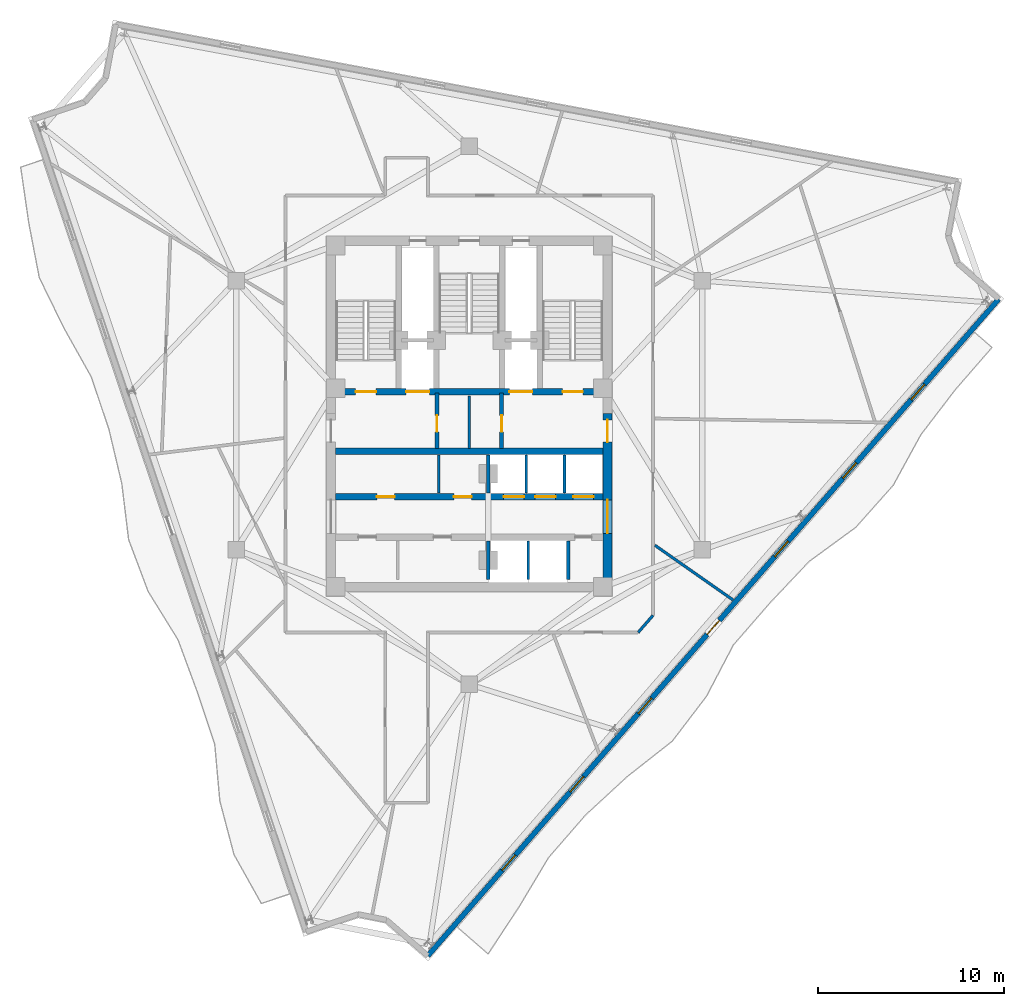
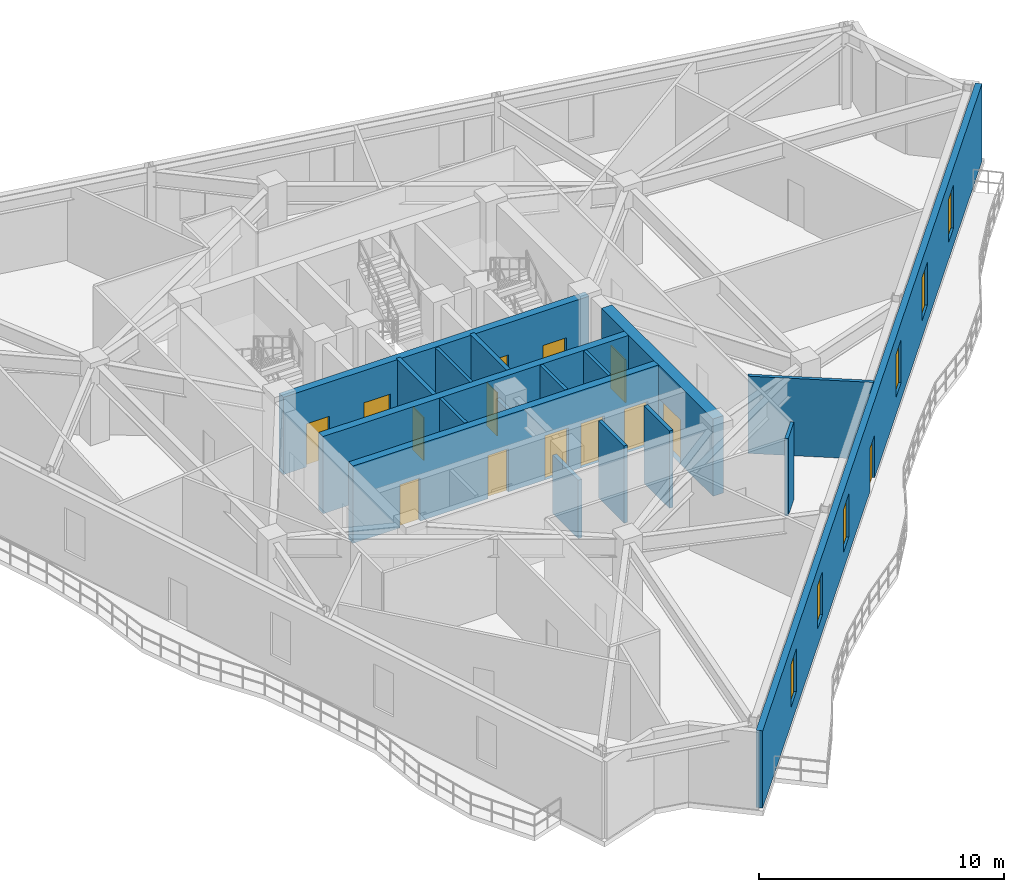
# One storey, part 5 of 10: 17 walls, 14 doors, 6 windows, 20 openings.
"""IFC4 building model written with IfcOpenShell, lengths in metres."""

from ifc_helpers import new_model, si_unit, direction, frame, frame_2d, origin, place, context, subcontext, project, spatial, rectangle, extrude, material, layer, layer_set, type_object, element, fill, save


model = new_model("IFC4")

# Units and contexts
model_context = context("Model", 3, precision=1e-05, world=origin(), true_north=direction((0.0, 1.0)))
body_context = subcontext(model_context, "Body", "Model", "MODEL_VIEW")
ifc_project = project(units=[si_unit("LENGTHUNIT", "METRE"), si_unit("AREAUNIT", "SQUARE_METRE"), si_unit("VOLUMEUNIT", "CUBIC_METRE"), si_unit("PLANEANGLEUNIT", "RADIAN"), si_unit("MASSUNIT", "GRAM", prefix="KILO")], contexts=[model_context])

# Site, building, storey
site_placement = place(None, origin())
site = spatial("IfcSite", under=ifc_project, at=site_placement, CompositionType="ELEMENT")
building_placement = place(site_placement, origin())
building = spatial("IfcBuilding", under=site, at=building_placement, Name="Apsidion Concourse Tower", CompositionType="ELEMENT")
storey_placement = place(building_placement, frame((0.0, 0.0, 269.60009765625)))
storey = spatial("IfcBuildingStorey", under=building, at=storey_placement, Name="L63", CompositionType="ELEMENT", Elevation=269.60009765625)

# Wall, openings, door, windows
ifc_material_1 = material(Name="Precast concrete C40/50", Category="concrete")
ifc_layer_1 = layer(ifc_material_1, 0.280029296875)
ifc_layer_set_1 = layer_set([ifc_layer_1], Name="Precast concrete C40/50")
wall_type_1 = type_object("IfcWallType", Name="WL-EXT-280", PredefinedType="STANDARD", material=ifc_layer_set_1)
wall_1_placement = place(storey_placement, frame((28.531494140625, 6.267578125, 0.0), z_axis=(0.0, 0.0, 1.0), x_axis=(-0.656055748756, -0.754712431674, 0.0)))
wall_1 = element("IfcWall", 1, at=wall_1_placement, inside=storey, type_object=wall_type_1, Name="L63 Precast Stone Facade Wall 05", PredefinedType="STANDARD", context=body_context, shape_type="SweptSolid", body=[
    extrude(rectangle(XDim=46.89697265625, YDim=0.280029296875, at=frame_2d((23.448486328125, 0.0))), origin(), (0.0, 0.0, 1.0), 3.849853515625),
])
opening_1_placement = place(wall_1_placement, frame((22.948486328125, 0.0, 0.0)))
opening_1 = element("IfcOpeningElement", 2, at=opening_1_placement, cuts=wall_1, Name="Opening D-T1L", PredefinedType="OPENING", context=body_context, shape_type="SweptSolid", body=[
    extrude(rectangle(XDim=1.0, YDim=2.14990234375, at=frame_2d((0.5, 1.074951171875))), frame((0.0, 0.14990234375, 0.0), z_axis=(0.0, -1.0, 0.0), x_axis=(1.0, 0.0, 0.0)), (0.0, 0.0, 1.0), 0.300048828125),
])
opening_2_placement = place(wall_1_placement, frame((6.0986328125, 0.0, 0.85009765625)))
opening_2 = element("IfcOpeningElement", 3, at=opening_2_placement, cuts=wall_1, Name="Opening WN-07", PredefinedType="OPENING", context=body_context, shape_type="SweptSolid", body=[
    extrude(rectangle(XDim=1.10009765625, YDim=2.14990234375, at=frame_2d((0.550048828125, 1.074951171875))), frame((0.0, 0.14990234375, 0.0), z_axis=(0.0, -1.0, 0.0), x_axis=(1.0, 0.0, 0.0)), (0.0, 0.0, 1.0), 0.300048828125),
])
opening_3_placement = place(wall_1_placement, frame((11.698486328125, 0.0, 0.85009765625)))
opening_3 = element("IfcOpeningElement", 4, at=opening_3_placement, cuts=wall_1, Name="Opening WN-07", PredefinedType="OPENING", context=body_context, shape_type="SweptSolid", body=[
    extrude(rectangle(XDim=1.10009765625, YDim=2.14990234375, at=frame_2d((0.550048828125, 1.074951171875))), frame((0.0, 0.14990234375, 0.0), z_axis=(0.0, -1.0, 0.0), x_axis=(1.0, 0.0, 0.0)), (0.0, 0.0, 1.0), 0.300048828125),
])
opening_4_placement = place(wall_1_placement, frame((17.298583984375, 0.0, 0.85009765625)))
opening_4 = element("IfcOpeningElement", 5, at=opening_4_placement, cuts=wall_1, Name="Opening WN-07", PredefinedType="OPENING", context=body_context, shape_type="SweptSolid", body=[
    extrude(rectangle(XDim=1.10009765625, YDim=2.14990234375, at=frame_2d((0.550048828125, 1.074951171875))), frame((0.0, 0.14990234375, 0.0), z_axis=(0.0, -1.0, 0.0), x_axis=(1.0, 0.0, 0.0)), (0.0, 0.0, 1.0), 0.300048828125),
])
opening_5_placement = place(wall_1_placement, frame((28.49853515625, 0.0, 0.85009765625)))
opening_5 = element("IfcOpeningElement", 6, at=opening_5_placement, cuts=wall_1, Name="Opening WN-07", PredefinedType="OPENING", context=body_context, shape_type="SweptSolid", body=[
    extrude(rectangle(XDim=1.10009765625, YDim=2.14990234375, at=frame_2d((0.550048828125, 1.074951171875))), frame((0.0, 0.14990234375, 0.0), z_axis=(0.0, -1.0, 0.0), x_axis=(1.0, 0.0, 0.0)), (0.0, 0.0, 1.0), 0.300048828125),
])
opening_6_placement = place(wall_1_placement, frame((34.0986328125, 0.0, 0.85009765625)))
opening_6 = element("IfcOpeningElement", 7, at=opening_6_placement, cuts=wall_1, Name="Opening WN-07", PredefinedType="OPENING", context=body_context, shape_type="SweptSolid", body=[
    extrude(rectangle(XDim=1.10009765625, YDim=2.14990234375, at=frame_2d((0.550048828125, 1.074951171875))), frame((0.0, 0.14990234375, 0.0), z_axis=(0.0, -1.0, 0.0), x_axis=(1.0, 0.0, 0.0)), (0.0, 0.0, 1.0), 0.300048828125),
])
opening_7_placement = place(wall_1_placement, frame((39.698486328125, 0.0, 0.85009765625)))
opening_7 = element("IfcOpeningElement", 8, at=opening_7_placement, cuts=wall_1, Name="Opening WN-07", PredefinedType="OPENING", context=body_context, shape_type="SweptSolid", body=[
    extrude(rectangle(XDim=1.10009765625, YDim=2.14990234375, at=frame_2d((0.550048828125, 1.074951171875))), frame((0.0, 0.14990234375, 0.0), z_axis=(0.0, -1.0, 0.0), x_axis=(1.0, 0.0, 0.0)), (0.0, 0.0, 1.0), 0.300048828125),
])
ifc_material_2 = material(Name="Anodised aluminium EN AW-6063 T6", Category="aluminium")
door_type_1 = type_object("IfcDoorType", Name="DR-TER-1022L", OperationType="SINGLE_SWING_LEFT", PredefinedType="DOOR", material=ifc_material_2)
door_1_placement = place(opening_1_placement, origin())
door_1 = element("IfcDoor", 9, at=door_1_placement, inside=storey, type_object=door_type_1, Name="L63 Balcony Access Door 2", OperationType="SINGLE_SWING_LEFT", OverallHeight=2.14990234375, OverallWidth=1.0, PredefinedType="DOOR", context=body_context, shape_type="SweptSolid", body=[
    extrude(rectangle(XDim=1.0, YDim=2.14990234375, at=frame_2d((0.5, 1.074951171875))), frame((0.0, 0.02490234375, 0.0), z_axis=(0.0, -1.0, 0.0), x_axis=(1.0, 0.0, 0.0)), (0.0, 0.0, 1.0), 0.050048828125),
])
fill(opening_1, door_1)
ifc_material_3 = material(Name="Insulated laminated low-E glass", Category="glass")
window_type = type_object("IfcWindowType", Name="WN-OFF-1123", PartitioningType="SINGLE_PANEL", PredefinedType="WINDOW", material=ifc_material_3)
window_1_placement = place(opening_2_placement, origin())
window_1 = element("IfcWindow", 10, at=window_1_placement, inside=storey, type_object=window_type, Name="L63 Punched Facade Window 5-01", OverallHeight=2.14990234375, OverallWidth=1.10009765625, PartitioningType="SINGLE_PANEL", PredefinedType="WINDOW", context=body_context, shape_type="SweptSolid", body=[
    extrude(rectangle(XDim=1.10009765625, YDim=2.14990234375, at=frame_2d((0.550048828125, 1.074951171875))), frame((0.0, 0.030029296875, 0.0), z_axis=(0.0, -1.0, 0.0), x_axis=(1.0, 0.0, 0.0)), (0.0, 0.0, 1.0), 0.06005859375),
])
fill(opening_2, window_1)
window_2_placement = place(opening_3_placement, origin())
window_2 = element("IfcWindow", 11, at=window_2_placement, inside=storey, type_object=window_type, Name="L63 Punched Facade Window 5-02", OverallHeight=2.14990234375, OverallWidth=1.10009765625, PartitioningType="SINGLE_PANEL", PredefinedType="WINDOW", context=body_context, shape_type="SweptSolid", body=[
    extrude(rectangle(XDim=1.10009765625, YDim=2.14990234375, at=frame_2d((0.550048828125, 1.074951171875))), frame((0.0, 0.030029296875, 0.0), z_axis=(0.0, -1.0, 0.0), x_axis=(1.0, 0.0, 0.0)), (0.0, 0.0, 1.0), 0.06005859375),
])
fill(opening_3, window_2)
window_3_placement = place(opening_4_placement, origin())
window_3 = element("IfcWindow", 12, at=window_3_placement, inside=storey, type_object=window_type, Name="L63 Punched Facade Window 5-03", OverallHeight=2.14990234375, OverallWidth=1.10009765625, PartitioningType="SINGLE_PANEL", PredefinedType="WINDOW", context=body_context, shape_type="SweptSolid", body=[
    extrude(rectangle(XDim=1.10009765625, YDim=2.14990234375, at=frame_2d((0.550048828125, 1.074951171875))), frame((0.0, 0.030029296875, 0.0), z_axis=(0.0, -1.0, 0.0), x_axis=(1.0, 0.0, 0.0)), (0.0, 0.0, 1.0), 0.06005859375),
])
fill(opening_4, window_3)
window_4_placement = place(opening_5_placement, origin())
window_4 = element("IfcWindow", 13, at=window_4_placement, inside=storey, type_object=window_type, Name="L63 Punched Facade Window 5-05", OverallHeight=2.14990234375, OverallWidth=1.10009765625, PartitioningType="SINGLE_PANEL", PredefinedType="WINDOW", context=body_context, shape_type="SweptSolid", body=[
    extrude(rectangle(XDim=1.10009765625, YDim=2.14990234375, at=frame_2d((0.550048828125, 1.074951171875))), frame((0.0, 0.030029296875, 0.0), z_axis=(0.0, -1.0, 0.0), x_axis=(1.0, 0.0, 0.0)), (0.0, 0.0, 1.0), 0.06005859375),
])
fill(opening_5, window_4)
window_5_placement = place(opening_6_placement, origin())
window_5 = element("IfcWindow", 14, at=window_5_placement, inside=storey, type_object=window_type, Name="L63 Punched Facade Window 5-06", OverallHeight=2.14990234375, OverallWidth=1.10009765625, PartitioningType="SINGLE_PANEL", PredefinedType="WINDOW", context=body_context, shape_type="SweptSolid", body=[
    extrude(rectangle(XDim=1.10009765625, YDim=2.14990234375, at=frame_2d((0.550048828125, 1.074951171875))), frame((0.0, 0.030029296875, 0.0), z_axis=(0.0, -1.0, 0.0), x_axis=(1.0, 0.0, 0.0)), (0.0, 0.0, 1.0), 0.06005859375),
])
fill(opening_6, window_5)
window_6_placement = place(opening_7_placement, origin())
window_6 = element("IfcWindow", 15, at=window_6_placement, inside=storey, type_object=window_type, Name="L63 Punched Facade Window 5-07", OverallHeight=2.14990234375, OverallWidth=1.10009765625, PartitioningType="SINGLE_PANEL", PredefinedType="WINDOW", context=body_context, shape_type="SweptSolid", body=[
    extrude(rectangle(XDim=1.10009765625, YDim=2.14990234375, at=frame_2d((0.550048828125, 1.074951171875))), frame((0.0, 0.030029296875, 0.0), z_axis=(0.0, -1.0, 0.0), x_axis=(1.0, 0.0, 0.0)), (0.0, 0.0, 1.0), 0.06005859375),
])
fill(opening_7, window_6)

# Walls
ifc_material_4 = material(Name="Gypsum plasterboard partition")
ifc_layer_2 = layer(ifc_material_4, 0.14990234375)
ifc_layer_set_2 = layer_set([ifc_layer_2], Name="Gypsum plasterboard partition")
wall_type_2 = type_object("IfcWallType", Name="WL-INT-PAR-150", PredefinedType="PARTITIONING", material=ifc_layer_set_2)
for number, where, z_axis, x_axis, name in (
    (16, (-1.64990234375, -4.179931640625, 0.0), (0.0, 0.0, 1.0), (0.0, 1.0, 0.0), "L63 Interior Partition WL-L63-B1RV1"),
    (17, (3.074951171875, -4.179931640625, 0.0), (0.0, 0.0, 1.0), (0.0, 1.0, 0.0), "L63 Interior Partition WL-L63-B3DIV-1"),
    (18, (5.125, -4.179931640625, 0.0), (0.0, 0.0, 1.0), (0.0, 1.0, 0.0), "L63 Interior Partition WL-L63-B3DIV-2"),
):
    element("IfcWall", number, at=place(storey_placement, frame(where, z_axis=z_axis, x_axis=x_axis)), inside=storey, type_object=wall_type_2, Name=name, PredefinedType="PARTITIONING", context=body_context, shape_type="SweptSolid", body=[
        extrude(rectangle(XDim=2.030029296875, YDim=0.14990234375, at=frame_2d((1.01513671875, 0.0))), origin(), (0.0, 0.0, 1.0), 3.849853515625),
    ])
wall_2_placement = place(storey_placement, frame((3.175048828125, -8.85009765625, 0.0), z_axis=(0.0, 0.0, 1.0), x_axis=(0.0, 1.0, 0.0)))
element("IfcWall", 19, at=wall_2_placement, inside=storey, type_object=wall_type_2, Name="L63 Interior Partition WL-L63-SHDIV-1", PredefinedType="PARTITIONING", context=body_context, shape_type="SweptSolid", body=[
    extrude(rectangle(XDim=2.080078125, YDim=0.14990234375, at=frame_2d((1.0400390625, 0.0))), origin(), (0.0, 0.0, 1.0), 3.849853515625),
])
wall_3_placement = place(storey_placement, frame((0.0, -1.780029296875, 0.0), z_axis=(0.0, 0.0, 1.0), x_axis=(0.0, 1.0, 0.0)))
element("IfcWall", 20, at=wall_3_placement, inside=storey, type_object=wall_type_2, Name="L63 Interior Partition WL-L63-K3V", PredefinedType="PARTITIONING", context=body_context, shape_type="SweptSolid", body=[
    extrude(rectangle(XDim=2.830078125, YDim=0.14990234375, at=frame_2d((1.4150390625, 0.0))), origin(), (0.0, 0.0, 1.0), 3.849853515625),
])
wall_4_placement = place(storey_placement, frame((9.89990234375, -10.783447265625, 0.0), z_axis=(0.0, 0.0, 1.0), x_axis=(-0.656024397367, -0.754739683639, 0.0)))
element("IfcWall", 21, at=wall_4_placement, inside=storey, type_object=wall_type_2, Name="L63 Interior Partition WL-L63-CORR-09", PredefinedType="PARTITIONING", context=body_context, shape_type="SweptSolid", body=[
    extrude(rectangle(XDim=1.21435546875, YDim=0.14990234375, at=frame_2d((0.607177734375, 0.0))), origin(), (0.0, 0.0, 1.0), 3.849853515625),
])
wall_5_placement = place(storey_placement, frame((10.0048828125, -7.005615234375, 0.0), z_axis=(0.0, 0.0, 1.0), x_axis=(0.819173984323, -0.57354510146, 0.0)))
element("IfcWall", 22, at=wall_5_placement, inside=storey, type_object=wall_type_2, Name="L63 Interior Partition WL-L63-RAD-09-1", PredefinedType="PARTITIONING", context=body_context, shape_type="SweptSolid", body=[
    extrude(rectangle(XDim=5.147705078125, YDim=0.14990234375, at=frame_2d((2.57373046875, 0.0))), origin(), (0.0, 0.0, 1.0), 3.849853515625),
])
ifc_layer_3 = layer(ifc_material_4, 0.179931640625)
ifc_layer_set_3 = layer_set([ifc_layer_3], Name="Gypsum plasterboard partition")
wall_type_3 = type_object("IfcWallType", Name="WL-INT-PAR-180", PredefinedType="PARTITIONING", material=ifc_layer_set_3)
wall_6_placement = place(storey_placement, frame((1.02490234375, -4.179931640625, 0.0), z_axis=(0.0, 0.0, 1.0), x_axis=(0.0, 1.0, 0.0)))
element("IfcWall", 23, at=wall_6_placement, inside=storey, type_object=wall_type_3, Name="L63 Interior Partition WL-L63-B1END", PredefinedType="PARTITIONING", context=body_context, shape_type="SweptSolid", body=[
    extrude(rectangle(XDim=2.030029296875, YDim=0.179931640625, at=frame_2d((1.01513671875, 0.0))), origin(), (0.0, 0.0, 1.0), 2.89794921875),
])
wall_7_placement = place(storey_placement, frame((1.02490234375, -8.85009765625, 0.0), z_axis=(0.0, 0.0, 1.0), x_axis=(0.0, 1.0, 0.0)))
element("IfcWall", 24, at=wall_7_placement, inside=storey, type_object=wall_type_3, Name="L63 Interior Partition WL-L63-B2END", PredefinedType="PARTITIONING", context=body_context, shape_type="SweptSolid", body=[
    extrude(rectangle(XDim=2.080078125, YDim=0.179931640625, at=frame_2d((1.0400390625, 0.0))), origin(), (0.0, 0.0, 1.0), 2.89794921875),
])
wall_8_placement = place(storey_placement, frame((5.324951171875, -8.85009765625, 0.0), z_axis=(0.0, 0.0, 1.0), x_axis=(0.0, 1.0, 0.0)))
element("IfcWall", 25, at=wall_8_placement, inside=storey, type_object=wall_type_3, Name="L63 Interior Partition WL-L63-SHDIV-2", PredefinedType="PARTITIONING", context=body_context, shape_type="SweptSolid", body=[
    extrude(rectangle(XDim=2.080078125, YDim=0.179931640625, at=frame_2d((1.0400390625, 0.0))), origin(), (0.0, 0.0, 1.0), 3.849853515625),
])

# Wall, opening, door
ifc_layer_4 = layer(ifc_material_4, 0.199951171875)
ifc_layer_set_4 = layer_set([ifc_layer_4], Name="Gypsum plasterboard partition")
wall_type_4 = type_object("IfcWallType", Name="WL-INT-PAR-200", PredefinedType="PARTITIONING", material=ifc_layer_set_4)
wall_9_placement = place(storey_placement, frame((-1.739990234375, -1.780029296875, 0.0), z_axis=(0.0, 0.0, 1.0), x_axis=(0.0, 1.0, 0.0)))
wall_9 = element("IfcWall", 26, at=wall_9_placement, inside=storey, type_object=wall_type_4, Name="L63 Interior Partition WL-L63-FF1-E", PredefinedType="PARTITIONING", context=body_context, shape_type="SweptSolid", body=[
    extrude(rectangle(XDim=2.97998046875, YDim=0.199951171875, at=frame_2d((1.489990234375, 0.0))), origin(), (0.0, 0.0, 1.0), 3.849853515625),
])
opening_8_placement = place(wall_9_placement, frame((0.889892578125, 0.0, 0.0)))
opening_8 = element("IfcOpeningElement", 27, at=opening_8_placement, cuts=wall_9, Name="Opening D-05R", PredefinedType="OPENING", context=body_context, shape_type="SweptSolid", body=[
    extrude(rectangle(XDim=0.8798828125, YDim=2.14990234375, at=frame_2d((0.43994140625, 1.074951171875))), frame((0.0, 0.10986328125, 0.0), z_axis=(0.0, -1.0, 0.0), x_axis=(1.0, 0.0, 0.0)), (0.0, 0.0, 1.0), 0.219970703125),
])
ifc_material_5 = material(Name="Brushed stainless steel 316", Category="steel")
door_type_2 = type_object("IfcDoorType", Name="DR-INT-D05R", OperationType="SINGLE_SWING_RIGHT", PredefinedType="DOOR", material=ifc_material_5)
door_2_placement = place(opening_8_placement, origin())
door_2 = element("IfcDoor", 28, at=door_2_placement, inside=storey, type_object=door_type_2, Name="L63 Core Pantry Door", OperationType="SINGLE_SWING_RIGHT", OverallHeight=2.14990234375, OverallWidth=0.8798828125, PredefinedType="DOOR", context=body_context, shape_type="SweptSolid", body=[
    extrude(rectangle(XDim=0.8798828125, YDim=2.14990234375, at=frame_2d((0.43994140625, 1.074951171875))), frame((0.0, 0.02490234375, 0.0), z_axis=(0.0, -1.0, 0.0), x_axis=(1.0, 0.0, 0.0)), (0.0, 0.0, 1.0), 0.050048828125),
])
fill(opening_8, door_2)

wall_10_placement = place(storey_placement, frame((1.739990234375, -1.780029296875, 0.0), z_axis=(0.0, 0.0, 1.0), x_axis=(0.0, 1.0, 0.0)))
wall_10 = element("IfcWall", 29, at=wall_10_placement, inside=storey, type_object=wall_type_4, Name="L63 Interior Partition WL-L63-FF2-W", PredefinedType="PARTITIONING", context=body_context, shape_type="SweptSolid", body=[
    extrude(rectangle(XDim=2.97998046875, YDim=0.199951171875, at=frame_2d((1.489990234375, 0.0))), origin(), (0.0, 0.0, 1.0), 3.849853515625),
])
opening_9_placement = place(wall_10_placement, frame((0.889892578125, 0.0, 0.0)))
opening_9 = element("IfcOpeningElement", 30, at=opening_9_placement, cuts=wall_10, Name="Opening D-05L", PredefinedType="OPENING", context=body_context, shape_type="SweptSolid", body=[
    extrude(rectangle(XDim=0.8798828125, YDim=2.14990234375, at=frame_2d((0.43994140625, 1.074951171875))), frame((0.0, 0.10986328125, 0.0), z_axis=(0.0, -1.0, 0.0), x_axis=(1.0, 0.0, 0.0)), (0.0, 0.0, 1.0), 0.219970703125),
])
door_type_3 = type_object("IfcDoorType", Name="DR-INT-D05L", OperationType="SINGLE_SWING_LEFT", PredefinedType="DOOR", material=ifc_material_5)
door_3_placement = place(opening_9_placement, origin())
door_3 = element("IfcDoor", 31, at=door_3_placement, inside=storey, type_object=door_type_3, Name="L63 Core Electrical Door", OperationType="SINGLE_SWING_LEFT", OverallHeight=2.14990234375, OverallWidth=0.8798828125, PredefinedType="DOOR", context=body_context, shape_type="SweptSolid", body=[
    extrude(rectangle(XDim=0.8798828125, YDim=2.14990234375, at=frame_2d((0.43994140625, 1.074951171875))), frame((0.0, 0.02490234375, 0.0), z_axis=(0.0, -1.0, 0.0), x_axis=(1.0, 0.0, 0.0)), (0.0, 0.0, 1.0), 0.050048828125),
])
fill(opening_9, door_3)

# Wall, openings, doors
ifc_material_6 = material(Name="Concrete C50/60", Category="concrete")
ifc_layer_5 = layer(ifc_material_6, 0.35009765625)
ifc_layer_set_5 = layer_set([ifc_layer_5], Name="Concrete C50/60")
wall_type_5 = type_object("IfcWallType", Name="WL-SH-350", PredefinedType="SHEAR", material=ifc_layer_set_5)
wall_11_placement = place(storey_placement, frame((-7.199951171875, 1.27490234375, 0.0), z_axis=(0.0, 0.0, 1.0), x_axis=(1.0, 0.0, 0.0)))
wall_11 = element("IfcWall", 32, at=wall_11_placement, inside=storey, type_object=wall_type_5, Name="L63 Central Core Shear Wall M1", PredefinedType="SHEAR", context=body_context, shape_type="SweptSolid", body=[
    extrude(rectangle(XDim=14.39990234375, YDim=0.35009765625, at=frame_2d((7.199951171875, 0.0))), origin(), (0.0, 0.0, 1.0), 3.849853515625),
])
opening_10_placement = place(wall_11_placement, frame((3.794921875, 0.0, 0.0)))
opening_10 = element("IfcOpeningElement", 33, at=opening_10_placement, cuts=wall_11, Name="Opening LD-FF", PredefinedType="OPENING", context=body_context, shape_type="SweptSolid", body=[
    extrude(rectangle(XDim=1.25, YDim=2.25, at=frame_2d((0.625, 1.125))), frame((0.0, 0.18505859375, 0.0), z_axis=(0.0, -1.0, 0.0), x_axis=(1.0, 0.0, 0.0)), (0.0, 0.0, 1.0), 0.3701171875),
])
opening_11_placement = place(wall_11_placement, frame((9.35498046875, 0.0, 0.0)))
opening_11 = element("IfcOpeningElement", 34, at=opening_11_placement, cuts=wall_11, Name="Opening LD-FF", PredefinedType="OPENING", context=body_context, shape_type="SweptSolid", body=[
    extrude(rectangle(XDim=1.25, YDim=2.25, at=frame_2d((0.625, 1.125))), frame((0.0, 0.18505859375, 0.0), z_axis=(0.0, -1.0, 0.0), x_axis=(1.0, 0.0, 0.0)), (0.0, 0.0, 1.0), 0.3701171875),
])
opening_12_placement = place(wall_11_placement, frame((1.074951171875, 0.0, 0.0)))
opening_12 = element("IfcOpeningElement", 35, at=opening_12_placement, cuts=wall_11, Name="Opening D-STL", PredefinedType="OPENING", context=body_context, shape_type="SweptSolid", body=[
    extrude(rectangle(XDim=1.10009765625, YDim=2.14990234375, at=frame_2d((0.550048828125, 1.074951171875))), frame((0.0, 0.18505859375, 0.0), z_axis=(0.0, -1.0, 0.0), x_axis=(1.0, 0.0, 0.0)), (0.0, 0.0, 1.0), 0.3701171875),
])
opening_13_placement = place(wall_11_placement, frame((12.22509765625, 0.0, 0.0)))
opening_13 = element("IfcOpeningElement", 36, at=opening_13_placement, cuts=wall_11, Name="Opening D-STR", PredefinedType="OPENING", context=body_context, shape_type="SweptSolid", body=[
    extrude(rectangle(XDim=1.10009765625, YDim=2.14990234375, at=frame_2d((0.550048828125, 1.074951171875))), frame((0.0, 0.18505859375, 0.0), z_axis=(0.0, -1.0, 0.0), x_axis=(1.0, 0.0, 0.0)), (0.0, 0.0, 1.0), 0.3701171875),
])
door_type_4 = type_object("IfcDoorType", Name="DR-INT-ST1L", OperationType="SINGLE_SWING_LEFT", PredefinedType="DOOR", material=ifc_material_5)
door_4_placement = place(opening_12_placement, origin())
door_4 = element("IfcDoor", 37, at=door_4_placement, inside=storey, type_object=door_type_4, Name="L63 Core Exit Stair ST1 Door", OperationType="SINGLE_SWING_LEFT", OverallHeight=2.14990234375, OverallWidth=1.10009765625, PredefinedType="DOOR", context=body_context, shape_type="SweptSolid", body=[
    extrude(rectangle(XDim=1.10009765625, YDim=2.14990234375, at=frame_2d((0.550048828125, 1.074951171875))), frame((0.0, 0.02490234375, 0.0), z_axis=(0.0, -1.0, 0.0), x_axis=(1.0, 0.0, 0.0)), (0.0, 0.0, 1.0), 0.050048828125),
])
fill(opening_12, door_4)
door_type_5 = type_object("IfcDoorType", Name="DR-INT-ST1R", OperationType="SINGLE_SWING_RIGHT", PredefinedType="DOOR", material=ifc_material_5)
door_5_placement = place(opening_13_placement, origin())
door_5 = element("IfcDoor", 38, at=door_5_placement, inside=storey, type_object=door_type_5, Name="L63 Core Exit Stair ST2 Door", OperationType="SINGLE_SWING_RIGHT", OverallHeight=2.14990234375, OverallWidth=1.10009765625, PredefinedType="DOOR", context=body_context, shape_type="SweptSolid", body=[
    extrude(rectangle(XDim=1.10009765625, YDim=2.14990234375, at=frame_2d((0.550048828125, 1.074951171875))), frame((0.0, 0.02490234375, 0.0), z_axis=(0.0, -1.0, 0.0), x_axis=(1.0, 0.0, 0.0)), (0.0, 0.0, 1.0), 0.050048828125),
])
fill(opening_13, door_5)
door_type_6 = type_object("IfcDoorType", Name="DR-LD-FSAE", OperationType="DOUBLE_DOOR_SLIDING", PredefinedType="DOOR", material=ifc_material_5)
door_6_placement = place(opening_10_placement, origin())
door_6 = element("IfcDoor", 39, at=door_6_placement, inside=storey, type_object=door_type_6, Name="L63 Lift Landing Door FF1", OperationType="DOUBLE_DOOR_SLIDING", OverallHeight=2.25, OverallWidth=1.25, PredefinedType="DOOR", context=body_context, shape_type="SweptSolid", body=[
    extrude(rectangle(XDim=1.25, YDim=2.25, at=frame_2d((0.625, 1.125))), frame((0.0, 0.02490234375, 0.0), z_axis=(0.0, -1.0, 0.0), x_axis=(1.0, 0.0, 0.0)), (0.0, 0.0, 1.0), 0.050048828125),
])
fill(opening_10, door_6)
door_7_placement = place(opening_11_placement, origin())
door_7 = element("IfcDoor", 40, at=door_7_placement, inside=storey, type_object=door_type_6, Name="L63 Lift Landing Door FF2", OperationType="DOUBLE_DOOR_SLIDING", OverallHeight=2.25, OverallWidth=1.25, PredefinedType="DOOR", context=body_context, shape_type="SweptSolid", body=[
    extrude(rectangle(XDim=1.25, YDim=2.25, at=frame_2d((0.625, 1.125))), frame((0.0, 0.02490234375, 0.0), z_axis=(0.0, -1.0, 0.0), x_axis=(1.0, 0.0, 0.0)), (0.0, 0.0, 1.0), 0.050048828125),
])
fill(opening_11, door_7)

# Wall
wall_12_placement = place(storey_placement, frame((-7.199951171875, -1.949951171875, 0.0), z_axis=(0.0, 0.0, 1.0), x_axis=(1.0, 0.0, 0.0)))
element("IfcWall", 41, at=wall_12_placement, inside=storey, type_object=wall_type_5, Name="L63 Central Core Shear Wall M2", PredefinedType="SHEAR", context=body_context, shape_type="SweptSolid", body=[
    extrude(rectangle(XDim=14.39990234375, YDim=0.35009765625, at=frame_2d((7.199951171875, 0.0))), origin(), (0.0, 0.0, 1.0), 3.849853515625),
])

# Wall, openings, doors
wall_13_placement = place(storey_placement, frame((-7.199951171875, -4.3798828125, 0.0), z_axis=(0.0, 0.0, 1.0), x_axis=(1.0, 0.0, 0.0)))
wall_13 = element("IfcWall", 42, at=wall_13_placement, inside=storey, type_object=wall_type_5, Name="L63 Central Core Shear Wall LA", PredefinedType="SHEAR", context=body_context, shape_type="SweptSolid", body=[
    extrude(rectangle(XDim=14.39990234375, YDim=0.35009765625, at=frame_2d((7.199951171875, 0.0))), origin(), (0.0, 0.0, 1.0), 3.849853515625),
])
opening_14_placement = place(wall_13_placement, frame((9.050048828125, 0.0, 0.0)))
opening_14 = element("IfcOpeningElement", 43, at=opening_14_placement, cuts=wall_13, Name="Opening LD-P1", PredefinedType="OPENING", context=body_context, shape_type="SweptSolid", body=[
    extrude(rectangle(XDim=1.10009765625, YDim=2.199951171875, at=frame_2d((0.550048828125, 1.10009765625))), frame((0.0, 0.18505859375, 0.0), z_axis=(0.0, -1.0, 0.0), x_axis=(1.0, 0.0, 0.0)), (0.0, 0.0, 1.0), 0.3701171875),
])
opening_15_placement = place(wall_13_placement, frame((10.75, 0.0, 0.0)))
opening_15 = element("IfcOpeningElement", 44, at=opening_15_placement, cuts=wall_13, Name="Opening LD-P1", PredefinedType="OPENING", context=body_context, shape_type="SweptSolid", body=[
    extrude(rectangle(XDim=1.10009765625, YDim=2.199951171875, at=frame_2d((0.550048828125, 1.10009765625))), frame((0.0, 0.18505859375, 0.0), z_axis=(0.0, -1.0, 0.0), x_axis=(1.0, 0.0, 0.0)), (0.0, 0.0, 1.0), 0.3701171875),
])
opening_16_placement = place(wall_13_placement, frame((12.800048828125, 0.0, 0.0)))
opening_16 = element("IfcOpeningElement", 45, at=opening_16_placement, cuts=wall_13, Name="Opening LD-P1", PredefinedType="OPENING", context=body_context, shape_type="SweptSolid", body=[
    extrude(rectangle(XDim=1.10009765625, YDim=2.199951171875, at=frame_2d((0.550048828125, 1.10009765625))), frame((0.0, 0.18505859375, 0.0), z_axis=(0.0, -1.0, 0.0), x_axis=(1.0, 0.0, 0.0)), (0.0, 0.0, 1.0), 0.3701171875),
])
opening_17_placement = place(wall_13_placement, frame((2.22509765625, 0.0, 0.0)))
opening_17 = element("IfcOpeningElement", 46, at=opening_17_placement, cuts=wall_13, Name="Opening D-04L", PredefinedType="OPENING", context=body_context, shape_type="SweptSolid", body=[
    extrude(rectangle(XDim=0.949951171875, YDim=2.14990234375, at=frame_2d((0.47509765625, 1.074951171875))), frame((0.0, 0.18505859375, 0.0), z_axis=(0.0, -1.0, 0.0), x_axis=(1.0, 0.0, 0.0)), (0.0, 0.0, 1.0), 0.3701171875),
])
opening_18_placement = place(wall_13_placement, frame((6.375, 0.0, 0.0)))
opening_18 = element("IfcOpeningElement", 47, at=opening_18_placement, cuts=wall_13, Name="Opening D-04R", PredefinedType="OPENING", context=body_context, shape_type="SweptSolid", body=[
    extrude(rectangle(XDim=0.949951171875, YDim=2.14990234375, at=frame_2d((0.47509765625, 1.074951171875))), frame((0.0, 0.18505859375, 0.0), z_axis=(0.0, -1.0, 0.0), x_axis=(1.0, 0.0, 0.0)), (0.0, 0.0, 1.0), 0.3701171875),
])
door_type_7 = type_object("IfcDoorType", Name="DR-INT-D04L", OperationType="SINGLE_SWING_LEFT", PredefinedType="DOOR", material=ifc_material_5)
door_8_placement = place(opening_17_placement, origin())
door_8 = element("IfcDoor", 48, at=door_8_placement, inside=storey, type_object=door_type_7, Name="L63 Tenant Records Archive Room Door", OperationType="SINGLE_SWING_LEFT", OverallHeight=2.14990234375, OverallWidth=0.949951171875, PredefinedType="DOOR", context=body_context, shape_type="SweptSolid", body=[
    extrude(rectangle(XDim=0.949951171875, YDim=2.14990234375, at=frame_2d((0.47509765625, 1.074951171875))), frame((0.0, 0.02490234375, 0.0), z_axis=(0.0, -1.0, 0.0), x_axis=(1.0, 0.0, 0.0)), (0.0, 0.0, 1.0), 0.050048828125),
])
fill(opening_17, door_8)
door_type_8 = type_object("IfcDoorType", Name="DR-INT-D04R", OperationType="SINGLE_SWING_RIGHT", PredefinedType="DOOR", material=ifc_material_5)
door_9_placement = place(opening_18_placement, origin())
door_9 = element("IfcDoor", 49, at=door_9_placement, inside=storey, type_object=door_type_8, Name="L63 Core Beverage Pantry Door", OperationType="SINGLE_SWING_RIGHT", OverallHeight=2.14990234375, OverallWidth=0.949951171875, PredefinedType="DOOR", context=body_context, shape_type="SweptSolid", body=[
    extrude(rectangle(XDim=0.949951171875, YDim=2.14990234375, at=frame_2d((0.47509765625, 1.074951171875))), frame((0.0, 0.02490234375, 0.0), z_axis=(0.0, -1.0, 0.0), x_axis=(1.0, 0.0, 0.0)), (0.0, 0.0, 1.0), 0.050048828125),
])
fill(opening_18, door_9)
door_type_9 = type_object("IfcDoorType", Name="DR-LD-PASS", OperationType="DOUBLE_DOOR_SLIDING", PredefinedType="DOOR", material=ifc_material_5)
door_10_placement = place(opening_14_placement, origin())
door_10 = element("IfcDoor", 50, at=door_10_placement, inside=storey, type_object=door_type_9, Name="L63 Lift Landing Door P9", OperationType="DOUBLE_DOOR_SLIDING", OverallHeight=2.199951171875, OverallWidth=1.10009765625, PredefinedType="DOOR", context=body_context, shape_type="SweptSolid", body=[
    extrude(rectangle(XDim=1.10009765625, YDim=2.199951171875, at=frame_2d((0.550048828125, 1.10009765625))), frame((0.0, 0.02490234375, 0.0), z_axis=(0.0, -1.0, 0.0), x_axis=(1.0, 0.0, 0.0)), (0.0, 0.0, 1.0), 0.050048828125),
])
fill(opening_14, door_10)
door_11_placement = place(opening_15_placement, origin())
door_11 = element("IfcDoor", 51, at=door_11_placement, inside=storey, type_object=door_type_9, Name="L63 Lift Landing Door P10", OperationType="DOUBLE_DOOR_SLIDING", OverallHeight=2.199951171875, OverallWidth=1.10009765625, PredefinedType="DOOR", context=body_context, shape_type="SweptSolid", body=[
    extrude(rectangle(XDim=1.10009765625, YDim=2.199951171875, at=frame_2d((0.550048828125, 1.10009765625))), frame((0.0, 0.02490234375, 0.0), z_axis=(0.0, -1.0, 0.0), x_axis=(1.0, 0.0, 0.0)), (0.0, 0.0, 1.0), 0.050048828125),
])
fill(opening_15, door_11)
door_12_placement = place(opening_16_placement, origin())
door_12 = element("IfcDoor", 52, at=door_12_placement, inside=storey, type_object=door_type_9, Name="L63 Lift Landing Door P11", OperationType="DOUBLE_DOOR_SLIDING", OverallHeight=2.199951171875, OverallWidth=1.10009765625, PredefinedType="DOOR", context=body_context, shape_type="SweptSolid", body=[
    extrude(rectangle(XDim=1.10009765625, YDim=2.199951171875, at=frame_2d((0.550048828125, 1.10009765625))), frame((0.0, 0.02490234375, 0.0), z_axis=(0.0, -1.0, 0.0), x_axis=(1.0, 0.0, 0.0)), (0.0, 0.0, 1.0), 0.050048828125),
])
fill(opening_16, door_12)

ifc_layer_6 = layer(ifc_material_6, 0.5)
ifc_layer_set_6 = layer_set([ifc_layer_6], Name="Concrete C50/60")
wall_type_6 = type_object("IfcWallType", Name="WL-SH-500", PredefinedType="SHEAR", material=ifc_layer_set_6)
wall_14_placement = place(storey_placement, frame((7.449951171875, -9.0, 0.0), z_axis=(0.0, 0.0, 1.0), x_axis=(0.0, 1.0, 0.0)))
wall_14 = element("IfcWall", 53, at=wall_14_placement, inside=storey, type_object=wall_type_6, Name="L63 Central Core Shear Wall ES", PredefinedType="SHEAR", context=body_context, shape_type="SweptSolid", body=[
    extrude(rectangle(XDim=9.10009765625, YDim=0.5, at=frame_2d((4.550048828125, 0.0))), origin(), (0.0, 0.0, 1.0), 3.849853515625),
])
opening_19_placement = place(wall_14_placement, frame((2.639892578125, 0.0, 0.0)))
opening_19 = element("IfcOpeningElement", 54, at=opening_19_placement, cuts=wall_14, Name="Opening D-06D", PredefinedType="OPENING", context=body_context, shape_type="SweptSolid", body=[
    extrude(rectangle(XDim=1.800048828125, YDim=2.199951171875, at=frame_2d((0.89990234375, 1.10009765625))), frame((0.0, 0.260009765625, 0.0), z_axis=(0.0, -1.0, 0.0), x_axis=(1.0, 0.0, 0.0)), (0.0, 0.0, 1.0), 0.52001953125),
])
opening_20_placement = place(wall_14_placement, frame((7.550048828125, 0.0, 0.0)))
opening_20 = element("IfcOpeningElement", 55, at=opening_20_placement, cuts=wall_14, Name="Opening D-FFR", PredefinedType="OPENING", context=body_context, shape_type="SweptSolid", body=[
    extrude(rectangle(XDim=1.199951171875, YDim=2.14990234375, at=frame_2d((0.60009765625, 1.074951171875))), frame((0.0, 0.260009765625, 0.0), z_axis=(0.0, -1.0, 0.0), x_axis=(1.0, 0.0, 0.0)), (0.0, 0.0, 1.0), 0.52001953125),
])
door_type_10 = type_object("IfcDoorType", Name="DR-INT-D06D", OperationType="DOUBLE_DOOR_SINGLE_SWING", PredefinedType="DOOR", material=ifc_material_5)
door_13_placement = place(opening_19_placement, origin())
door_13 = element("IfcDoor", 56, at=door_13_placement, inside=storey, type_object=door_type_10, Name="L63 Passenger Lift Lobby ES Portal Door", OperationType="DOUBLE_DOOR_SINGLE_SWING", OverallHeight=2.199951171875, OverallWidth=1.800048828125, PredefinedType="DOOR", context=body_context, shape_type="SweptSolid", body=[
    extrude(rectangle(XDim=1.800048828125, YDim=2.199951171875, at=frame_2d((0.89990234375, 1.10009765625))), frame((0.0, 0.02490234375, 0.0), z_axis=(0.0, -1.0, 0.0), x_axis=(1.0, 0.0, 0.0)), (0.0, 0.0, 1.0), 0.050048828125),
])
fill(opening_19, door_13)
door_type_11 = type_object("IfcDoorType", Name="DR-INT-FFR", OperationType="SINGLE_SWING_RIGHT", PredefinedType="DOOR", material=ifc_material_5)
door_14_placement = place(opening_20_placement, origin())
door_14 = element("IfcDoor", 57, at=door_14_placement, inside=storey, type_object=door_type_11, Name="L63 Firefighting Lift Lobby FF2 Door", OperationType="SINGLE_SWING_RIGHT", OverallHeight=2.14990234375, OverallWidth=1.199951171875, PredefinedType="DOOR", context=body_context, shape_type="SweptSolid", body=[
    extrude(rectangle(XDim=1.199951171875, YDim=2.14990234375, at=frame_2d((0.60009765625, 1.074951171875))), frame((0.0, 0.02490234375, 0.0), z_axis=(0.0, -1.0, 0.0), x_axis=(1.0, 0.0, 0.0)), (0.0, 0.0, 1.0), 0.050048828125),
])
fill(opening_20, door_14)

save(model, "model.ifc")
